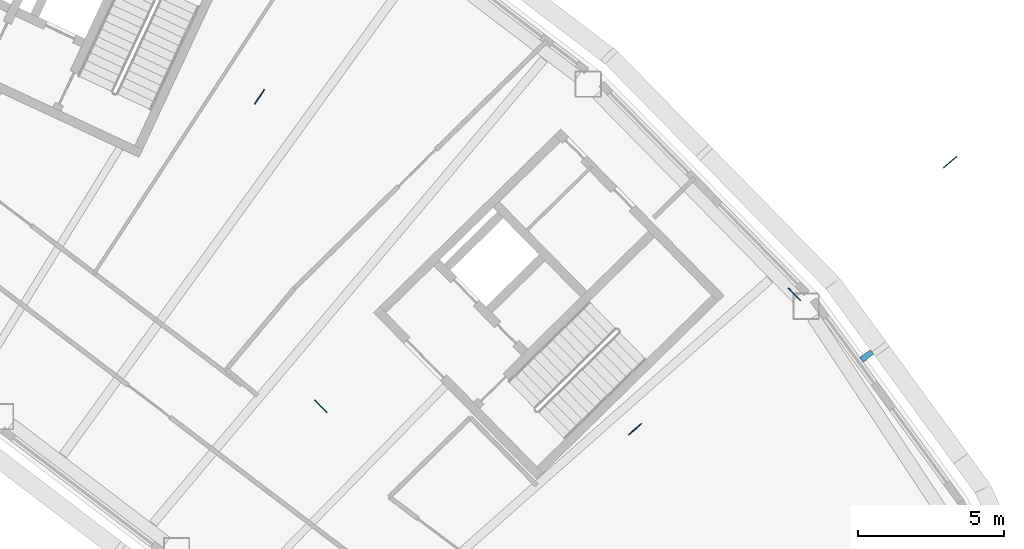
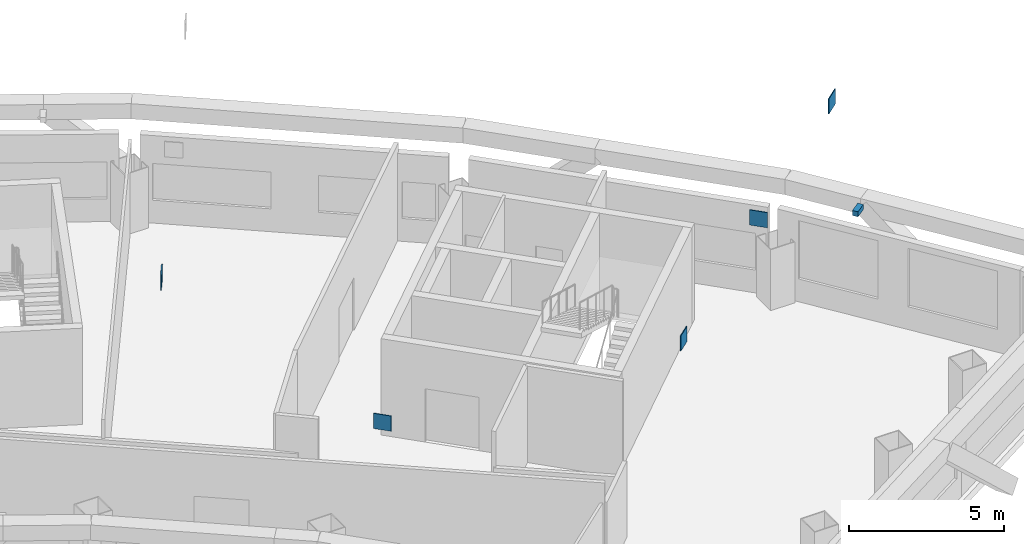
# One storey, part 15 of 20: 6 discrete accessories.
"""IFC4 building model written with IfcOpenShell, lengths in metres."""

from ifc_helpers import new_model, si_unit, direction, frame, origin, origin_2d, place, context, subcontext, project, spatial, rectangle, extrude, material, type_object, element, save


model = new_model("IFC4")

# Units and contexts
model_context = context("Model", 3, precision=1e-05, world=origin(), true_north=direction((0.0, 1.0)))
body_context = subcontext(model_context, "Body", "Model", "MODEL_VIEW")
ifc_project = project(units=[si_unit("LENGTHUNIT", "METRE"), si_unit("AREAUNIT", "SQUARE_METRE"), si_unit("VOLUMEUNIT", "CUBIC_METRE"), si_unit("PLANEANGLEUNIT", "RADIAN"), si_unit("MASSUNIT", "GRAM", prefix="KILO")], contexts=[model_context])

# Site, building, storey
site_placement = place(None, origin())
site = spatial("IfcSite", under=ifc_project, at=site_placement, CompositionType="ELEMENT")
building_placement = place(site_placement, origin())
building = spatial("IfcBuilding", under=site, at=building_placement, Name="Tuul Gate Civic Tower", CompositionType="ELEMENT")
storey_placement = place(building_placement, frame((0.0, 0.0, 197.300048828125)))
storey = spatial("IfcBuildingStorey", under=building, at=storey_placement, Name="Level 45", CompositionType="ELEMENT", Elevation=197.300048828125)

# Discrete accessories
ifc_material_1 = material(Name="Steel S355", Category="steel")
discrete_accessory_type_1 = type_object("IfcDiscreteAccessoryType", Name="Gusset plate", PredefinedType="BRACKET", material=ifc_material_1)
for number, where, z_axis, x_axis, name in (
    (1, (62.312255859375, -7.5498046875, 2.79638671875), (0.0, 0.0, 1.0), (-0.76282474496, -0.646605295738, 0.0), "Gusset plate"),
    (2, (38.602783203125, -5.309814453125, 2.796142578125), (0.0, 0.0, 1.0), (0.546721915066, 0.837314246616, 0.0), "Gusset plate"),
    (3, (51.489501953125, -16.7236328125, 2.796142578125), (0.0, 0.0, 1.0), (0.76282474496, 0.646605295738, 0.0), "Gusset plate"),
    (4, (56.95947265625, -12.08935546875, 2.7958984375), (0.0, 0.0, 1.0), (0.700047997827, -0.71409579241, 0.0), "Gusset plate"),
    (5, (40.7060546875, -15.937744140625, 2.796142578125), (0.0, 0.0, 1.0), (0.700091169498, -0.71405346746, 0.0), "Gusset plate"),
):
    element("IfcDiscreteAccessory", number, at=place(storey_placement, frame(where, z_axis=z_axis, x_axis=x_axis)), inside=storey, type_object=discrete_accessory_type_1, Name=name, PredefinedType="BRACKET", context=body_context, shape_type="SweptSolid", body=[
        extrude(rectangle(XDim=0.60009765625, YDim=0.030029296875, at=origin_2d()), origin(), (0.0, 0.0, 1.0), 0.60009765625),
    ])
ifc_material_2 = material(Name="Stainless steel", Category="steel")
discrete_accessory_type_2 = type_object("IfcDiscreteAccessoryType", Name="Screen bracket", PredefinedType="BRACKET", material=ifc_material_2)
discrete_accessory_placement = place(storey_placement, frame((59.4423828125, -14.204345703125, 3.75), z_axis=(0.0, 0.0, 1.0), x_axis=(0.796383218377, 0.604792335837, 0.0)))
element("IfcDiscreteAccessory", 6, at=discrete_accessory_placement, inside=storey, type_object=discrete_accessory_type_2, Name="Screen bracket 2", PredefinedType="BRACKET", context=body_context, shape_type="SweptSolid", body=[
    extrude(rectangle(XDim=0.4501953125, YDim=0.199951171875, at=origin_2d()), origin(), (0.0, 0.0, 1.0), 0.199951171875),
])

save(model, "model.ifc")
